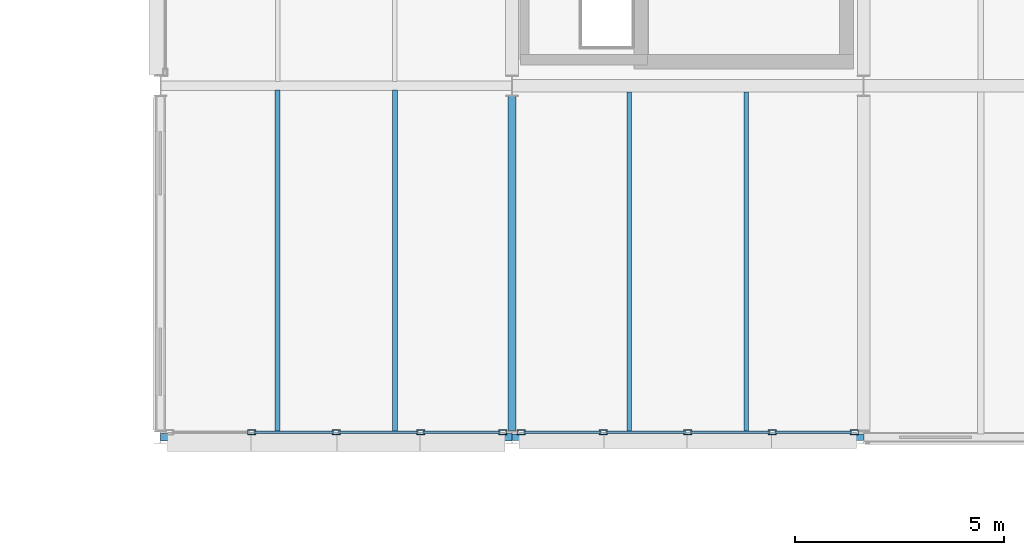
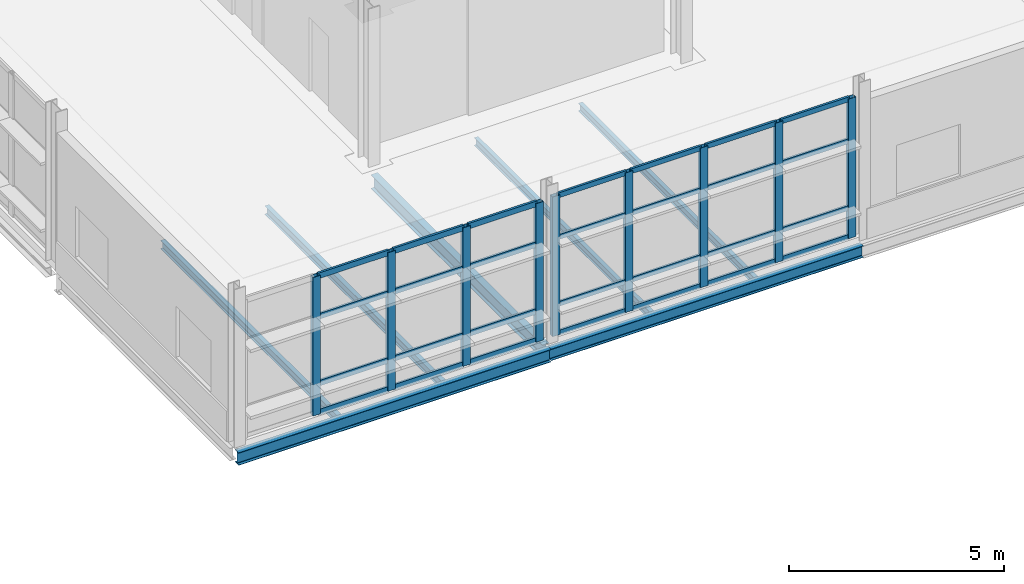
# One storey, part 66 of 129: 37 members, 7 beams, 2 elements without a shape of their own.
"""IFC4 building model written with IfcOpenShell, lengths in metres."""

from ifc_helpers import new_model, si_unit, direction, frame, origin, origin_2d, place, context, subcontext, project, spatial, hollow_rectangle, i_section, extrude, material, material_profile, profile_set, type_object, element, aggregate, save


model = new_model("IFC4")

# Units and contexts
model_context = context("Model", 3, precision=1e-05, world=origin(), true_north=direction((0.0, 1.0)))
body_context = subcontext(model_context, "Body", "Model", "MODEL_VIEW")
ifc_project = project(units=[si_unit("LENGTHUNIT", "METRE"), si_unit("AREAUNIT", "SQUARE_METRE"), si_unit("VOLUMEUNIT", "CUBIC_METRE"), si_unit("PLANEANGLEUNIT", "RADIAN"), si_unit("MASSUNIT", "GRAM", prefix="KILO")], contexts=[model_context])

# Site, building, storey
site_placement = place(None, origin())
site = spatial("IfcSite", under=ifc_project, at=site_placement, CompositionType="ELEMENT")
building_placement = place(site_placement, origin())
building = spatial("IfcBuilding", under=site, at=building_placement, Name="Mersafa Astral City Hall", CompositionType="ELEMENT")
storey_placement = place(building_placement, frame((0.0, 0.0, 5.39990234375)))
storey = spatial("IfcBuildingStorey", under=building, at=storey_placement, Name="L01", CompositionType="ELEMENT", Elevation=5.39990234375)

# Curtain wall, members
ifc_material_1 = material(Name="Anodised bronze aluminium framing", Category="aluminium")
curtain_wall_type_1 = type_object("IfcCurtainWallType", Name="ENV-CW-3", PredefinedType="USERDEFINED", material=ifc_material_1)
curtain_wall_1_placement = place(storey_placement, origin())
curtain_wall_1 = element("IfcCurtainWall", 1, at=curtain_wall_1_placement, inside=storey, type_object=curtain_wall_type_1, Name="L01 Unitised solar curtain wall 68", ObjectType="UNITISED CURTAIN WALL", PredefinedType="USERDEFINED")
ifc_material_profile_1 = material_profile(ifc_material_1, hollow_rectangle(XDim=0.1201171875, YDim=0.199951171875, WallThickness=0.008056640625, at=origin_2d()), Name="RHS 120x200x8")
ifc_profile_set_1 = profile_set([ifc_material_profile_1], Name="Anodised bronze aluminium framing")
member_type_1 = type_object("IfcMemberType", Name="ENV-CW-MUL-2", PredefinedType="MULLION", material=ifc_profile_set_1)
member_1_placement = place(storey_placement, frame((161.781005859375, 42.1201171875, -0.001953125), z_axis=(0.0, 0.0, 1.0), x_axis=(0.0, 1.0, 0.0)))
member_1 = element("IfcMember", 2, at=member_1_placement, type_object=member_type_1, Name="CW-3 mullion 2", PredefinedType="MULLION", context=body_context, shape_type="SweptSolid", body=[
    extrude(hollow_rectangle(XDim=0.1201171875, YDim=0.199951171875, WallThickness=0.008056640625, at=origin_2d()), origin(), (0.0, 0.0, 1.0), 3.93896484375),
])
member_2_placement = place(storey_placement, frame((163.800048828125, 42.1201171875, -0.001953125), z_axis=(0.0, 0.0, 1.0), x_axis=(0.0, 1.0, 0.0)))
member_2 = element("IfcMember", 3, at=member_2_placement, type_object=member_type_1, Name="CW-3 mullion 3", PredefinedType="MULLION", context=body_context, shape_type="SweptSolid", body=[
    extrude(hollow_rectangle(XDim=0.1201171875, YDim=0.199951171875, WallThickness=0.008056640625, at=origin_2d()), origin(), (0.0, 0.0, 1.0), 3.93896484375),
])
member_3_placement = place(storey_placement, frame((165.819091796875, 42.1201171875, -0.001953125), z_axis=(0.0, 0.0, 1.0), x_axis=(0.0, 1.0, 0.0)))
member_3 = element("IfcMember", 4, at=member_3_placement, type_object=member_type_1, Name="CW-3 mullion 4", PredefinedType="MULLION", context=body_context, shape_type="SweptSolid", body=[
    extrude(hollow_rectangle(XDim=0.1201171875, YDim=0.199951171875, WallThickness=0.008056640625, at=origin_2d()), origin(), (0.0, 0.0, 1.0), 3.93896484375),
])
member_4_placement = place(storey_placement, frame((167.778076171875, 42.1201171875, -0.001953125), z_axis=(0.0, 0.0, 1.0), x_axis=(0.0, 1.0, 0.0)))
member_4 = element("IfcMember", 5, at=member_4_placement, type_object=member_type_1, Name="CW-3 mullion 5", PredefinedType="MULLION", context=body_context, shape_type="SweptSolid", body=[
    extrude(hollow_rectangle(XDim=0.1201171875, YDim=0.199951171875, WallThickness=0.008056640625, at=origin_2d()), origin(), (0.0, 0.0, 1.0), 3.93896484375),
])

curtain_wall_type_2 = type_object("IfcCurtainWallType", Name="ENV-CW-4", PredefinedType="USERDEFINED", material=ifc_material_1)
curtain_wall_2_placement = place(storey_placement, origin())
curtain_wall_2 = element("IfcCurtainWall", 6, at=curtain_wall_2_placement, inside=storey, type_object=curtain_wall_type_2, Name="L01 Unitised solar curtain wall 69", ObjectType="UNITISED CURTAIN WALL", PredefinedType="USERDEFINED")
member_5_placement = place(storey_placement, frame((168.221923828125, 42.1201171875, -0.001953125), z_axis=(0.0, 0.0, 1.0), x_axis=(0.0, 1.0, 0.0)))
member_5 = element("IfcMember", 7, at=member_5_placement, type_object=member_type_1, Name="CW-4 mullion 1", PredefinedType="MULLION", context=body_context, shape_type="SweptSolid", body=[
    extrude(hollow_rectangle(XDim=0.1201171875, YDim=0.199951171875, WallThickness=0.008056640625, at=origin_2d()), origin(), (0.0, 0.0, 1.0), 3.968994140625),
])
member_6_placement = place(storey_placement, frame((170.180908203125, 42.1201171875, -0.001953125), z_axis=(0.0, 0.0, 1.0), x_axis=(0.0, 1.0, 0.0)))
member_6 = element("IfcMember", 8, at=member_6_placement, type_object=member_type_1, Name="CW-4 mullion 2", PredefinedType="MULLION", context=body_context, shape_type="SweptSolid", body=[
    extrude(hollow_rectangle(XDim=0.1201171875, YDim=0.199951171875, WallThickness=0.008056640625, at=origin_2d()), origin(), (0.0, 0.0, 1.0), 3.968994140625),
])
member_7_placement = place(storey_placement, frame((172.199951171875, 42.1201171875, -0.001953125), z_axis=(0.0, 0.0, 1.0), x_axis=(0.0, 1.0, 0.0)))
member_7 = element("IfcMember", 9, at=member_7_placement, type_object=member_type_1, Name="CW-4 mullion 3", PredefinedType="MULLION", context=body_context, shape_type="SweptSolid", body=[
    extrude(hollow_rectangle(XDim=0.1201171875, YDim=0.199951171875, WallThickness=0.008056640625, at=origin_2d()), origin(), (0.0, 0.0, 1.0), 3.968994140625),
])
member_8_placement = place(storey_placement, frame((174.218994140625, 42.1201171875, -0.001953125), z_axis=(0.0, 0.0, 1.0), x_axis=(0.0, 1.0, 0.0)))
member_8 = element("IfcMember", 10, at=member_8_placement, type_object=member_type_1, Name="CW-4 mullion 4", PredefinedType="MULLION", context=body_context, shape_type="SweptSolid", body=[
    extrude(hollow_rectangle(XDim=0.1201171875, YDim=0.199951171875, WallThickness=0.008056640625, at=origin_2d()), origin(), (0.0, 0.0, 1.0), 3.968994140625),
])
member_9_placement = place(storey_placement, frame((176.177978515625, 42.1201171875, -0.001953125), z_axis=(0.0, 0.0, 1.0), x_axis=(0.0, 1.0, 0.0)))
member_9 = element("IfcMember", 11, at=member_9_placement, type_object=member_type_1, Name="CW-4 mullion 5", PredefinedType="MULLION", context=body_context, shape_type="SweptSolid", body=[
    extrude(hollow_rectangle(XDim=0.1201171875, YDim=0.199951171875, WallThickness=0.008056640625, at=origin_2d()), origin(), (0.0, 0.0, 1.0), 3.968994140625),
])
ifc_material_profile_2 = material_profile(ifc_material_1, hollow_rectangle(XDim=0.06005859375, YDim=0.139892578125, WallThickness=0.00390625, at=origin_2d()), Name="RHS 60x140x4")
ifc_profile_set_2 = profile_set([ifc_material_profile_2], Name="Anodised bronze aluminium framing")
member_type_2 = type_object("IfcMemberType", Name="ENV-CW-TRN-1", PredefinedType="USERDEFINED", material=ifc_profile_set_2)
member_10_placement = place(storey_placement, frame((168.281982421875, 42.1201171875, 0.028076171875), z_axis=(1.0, 0.0, 0.0), x_axis=(0.0, 1.0, 0.0)))
member_10 = element("IfcMember", 12, at=member_10_placement, type_object=member_type_2, Name="CW-4 transom 1.1", ObjectType="TRANSOM", PredefinedType="USERDEFINED", context=body_context, shape_type="SweptSolid", body=[
    extrude(hollow_rectangle(XDim=0.06005859375, YDim=0.139892578125, WallThickness=0.00390625, at=origin_2d()), origin(), (0.0, 0.0, 1.0), 1.839111328125),
])
member_11_placement = place(storey_placement, frame((168.281982421875, 42.1201171875, 0.85009765625), z_axis=(1.0, 0.0, 0.0), x_axis=(0.0, 1.0, 0.0)))
member_11 = element("IfcMember", 13, at=member_11_placement, type_object=member_type_2, Name="CW-4 transom 1.2", ObjectType="TRANSOM", PredefinedType="USERDEFINED", context=body_context, shape_type="SweptSolid", body=[
    extrude(hollow_rectangle(XDim=0.06005859375, YDim=0.139892578125, WallThickness=0.00390625, at=origin_2d()), origin(), (0.0, 0.0, 1.0), 1.839111328125),
])
member_12_placement = place(storey_placement, frame((168.281982421875, 42.1201171875, 2.75), z_axis=(1.0, 0.0, 0.0), x_axis=(0.0, 1.0, 0.0)))
member_12 = element("IfcMember", 14, at=member_12_placement, type_object=member_type_2, Name="CW-4 transom 1.3", ObjectType="TRANSOM", PredefinedType="USERDEFINED", context=body_context, shape_type="SweptSolid", body=[
    extrude(hollow_rectangle(XDim=0.06005859375, YDim=0.139892578125, WallThickness=0.00390625, at=origin_2d()), origin(), (0.0, 0.0, 1.0), 1.839111328125),
])
member_13_placement = place(storey_placement, frame((168.281982421875, 42.1201171875, 3.93701171875), z_axis=(1.0, 0.0, 0.0), x_axis=(0.0, 1.0, 0.0)))
member_13 = element("IfcMember", 15, at=member_13_placement, type_object=member_type_2, Name="CW-4 transom 1.4", ObjectType="TRANSOM", PredefinedType="USERDEFINED", context=body_context, shape_type="SweptSolid", body=[
    extrude(hollow_rectangle(XDim=0.06005859375, YDim=0.139892578125, WallThickness=0.00390625, at=origin_2d()), origin(), (0.0, 0.0, 1.0), 1.839111328125),
])
member_14_placement = place(storey_placement, frame((170.240966796875, 42.1201171875, 0.028076171875), z_axis=(1.0, 0.0, 0.0), x_axis=(0.0, 1.0, 0.0)))
member_14 = element("IfcMember", 16, at=member_14_placement, type_object=member_type_2, Name="CW-4 transom 2.1", ObjectType="TRANSOM", PredefinedType="USERDEFINED", context=body_context, shape_type="SweptSolid", body=[
    extrude(hollow_rectangle(XDim=0.06005859375, YDim=0.139892578125, WallThickness=0.00390625, at=origin_2d()), origin(), (0.0, 0.0, 1.0), 1.89892578125),
])
member_15_placement = place(storey_placement, frame((170.240966796875, 42.1201171875, 0.85009765625), z_axis=(1.0, 0.0, 0.0), x_axis=(0.0, 1.0, 0.0)))
member_15 = element("IfcMember", 17, at=member_15_placement, type_object=member_type_2, Name="CW-4 transom 2.2", ObjectType="TRANSOM", PredefinedType="USERDEFINED", context=body_context, shape_type="SweptSolid", body=[
    extrude(hollow_rectangle(XDim=0.06005859375, YDim=0.139892578125, WallThickness=0.00390625, at=origin_2d()), origin(), (0.0, 0.0, 1.0), 1.89892578125),
])
member_16_placement = place(storey_placement, frame((170.240966796875, 42.1201171875, 2.75), z_axis=(1.0, 0.0, 0.0), x_axis=(0.0, 1.0, 0.0)))
member_16 = element("IfcMember", 18, at=member_16_placement, type_object=member_type_2, Name="CW-4 transom 2.3", ObjectType="TRANSOM", PredefinedType="USERDEFINED", context=body_context, shape_type="SweptSolid", body=[
    extrude(hollow_rectangle(XDim=0.06005859375, YDim=0.139892578125, WallThickness=0.00390625, at=origin_2d()), origin(), (0.0, 0.0, 1.0), 1.89892578125),
])
member_17_placement = place(storey_placement, frame((170.240966796875, 42.1201171875, 3.93701171875), z_axis=(1.0, 0.0, 0.0), x_axis=(0.0, 1.0, 0.0)))
member_17 = element("IfcMember", 19, at=member_17_placement, type_object=member_type_2, Name="CW-4 transom 2.4", ObjectType="TRANSOM", PredefinedType="USERDEFINED", context=body_context, shape_type="SweptSolid", body=[
    extrude(hollow_rectangle(XDim=0.06005859375, YDim=0.139892578125, WallThickness=0.00390625, at=origin_2d()), origin(), (0.0, 0.0, 1.0), 1.89892578125),
])
member_18_placement = place(storey_placement, frame((172.260009765625, 42.1201171875, 0.028076171875), z_axis=(1.0, 0.0, 0.0), x_axis=(0.0, 1.0, 0.0)))
member_18 = element("IfcMember", 20, at=member_18_placement, type_object=member_type_2, Name="CW-4 transom 3.1", ObjectType="TRANSOM", PredefinedType="USERDEFINED", context=body_context, shape_type="SweptSolid", body=[
    extrude(hollow_rectangle(XDim=0.06005859375, YDim=0.139892578125, WallThickness=0.00390625, at=origin_2d()), origin(), (0.0, 0.0, 1.0), 1.89892578125),
])
member_19_placement = place(storey_placement, frame((172.260009765625, 42.1201171875, 0.85009765625), z_axis=(1.0, 0.0, 0.0), x_axis=(0.0, 1.0, 0.0)))
member_19 = element("IfcMember", 21, at=member_19_placement, type_object=member_type_2, Name="CW-4 transom 3.2", ObjectType="TRANSOM", PredefinedType="USERDEFINED", context=body_context, shape_type="SweptSolid", body=[
    extrude(hollow_rectangle(XDim=0.06005859375, YDim=0.139892578125, WallThickness=0.00390625, at=origin_2d()), origin(), (0.0, 0.0, 1.0), 1.89892578125),
])
member_20_placement = place(storey_placement, frame((172.260009765625, 42.1201171875, 2.75), z_axis=(1.0, 0.0, 0.0), x_axis=(0.0, 1.0, 0.0)))
member_20 = element("IfcMember", 22, at=member_20_placement, type_object=member_type_2, Name="CW-4 transom 3.3", ObjectType="TRANSOM", PredefinedType="USERDEFINED", context=body_context, shape_type="SweptSolid", body=[
    extrude(hollow_rectangle(XDim=0.06005859375, YDim=0.139892578125, WallThickness=0.00390625, at=origin_2d()), origin(), (0.0, 0.0, 1.0), 1.89892578125),
])
member_21_placement = place(storey_placement, frame((172.260009765625, 42.1201171875, 3.93701171875), z_axis=(1.0, 0.0, 0.0), x_axis=(0.0, 1.0, 0.0)))
member_21 = element("IfcMember", 23, at=member_21_placement, type_object=member_type_2, Name="CW-4 transom 3.4", ObjectType="TRANSOM", PredefinedType="USERDEFINED", context=body_context, shape_type="SweptSolid", body=[
    extrude(hollow_rectangle(XDim=0.06005859375, YDim=0.139892578125, WallThickness=0.00390625, at=origin_2d()), origin(), (0.0, 0.0, 1.0), 1.89892578125),
])
member_22_placement = place(storey_placement, frame((174.279052734375, 42.1201171875, 0.028076171875), z_axis=(1.0, 0.0, 0.0), x_axis=(0.0, 1.0, 0.0)))
member_22 = element("IfcMember", 24, at=member_22_placement, type_object=member_type_2, Name="CW-4 transom 4.1", ObjectType="TRANSOM", PredefinedType="USERDEFINED", context=body_context, shape_type="SweptSolid", body=[
    extrude(hollow_rectangle(XDim=0.06005859375, YDim=0.139892578125, WallThickness=0.00390625, at=origin_2d()), origin(), (0.0, 0.0, 1.0), 1.8388671875),
])
member_23_placement = place(storey_placement, frame((174.279052734375, 42.1201171875, 0.85009765625), z_axis=(1.0, 0.0, 0.0), x_axis=(0.0, 1.0, 0.0)))
member_23 = element("IfcMember", 25, at=member_23_placement, type_object=member_type_2, Name="CW-4 transom 4.2", ObjectType="TRANSOM", PredefinedType="USERDEFINED", context=body_context, shape_type="SweptSolid", body=[
    extrude(hollow_rectangle(XDim=0.06005859375, YDim=0.139892578125, WallThickness=0.00390625, at=origin_2d()), origin(), (0.0, 0.0, 1.0), 1.8388671875),
])
member_24_placement = place(storey_placement, frame((174.279052734375, 42.1201171875, 2.75), z_axis=(1.0, 0.0, 0.0), x_axis=(0.0, 1.0, 0.0)))
member_24 = element("IfcMember", 26, at=member_24_placement, type_object=member_type_2, Name="CW-4 transom 4.3", ObjectType="TRANSOM", PredefinedType="USERDEFINED", context=body_context, shape_type="SweptSolid", body=[
    extrude(hollow_rectangle(XDim=0.06005859375, YDim=0.139892578125, WallThickness=0.00390625, at=origin_2d()), origin(), (0.0, 0.0, 1.0), 1.8388671875),
])
member_25_placement = place(storey_placement, frame((174.279052734375, 42.1201171875, 3.93701171875), z_axis=(1.0, 0.0, 0.0), x_axis=(0.0, 1.0, 0.0)))
member_25 = element("IfcMember", 27, at=member_25_placement, type_object=member_type_2, Name="CW-4 transom 4.4", ObjectType="TRANSOM", PredefinedType="USERDEFINED", context=body_context, shape_type="SweptSolid", body=[
    extrude(hollow_rectangle(XDim=0.06005859375, YDim=0.139892578125, WallThickness=0.00390625, at=origin_2d()), origin(), (0.0, 0.0, 1.0), 1.8388671875),
])
aggregate(curtain_wall_2, [member_5, member_6, member_7, member_8, member_9, member_10, member_11, member_12, member_13, member_14, member_15, member_16, member_17, member_18, member_19, member_20, member_21, member_22, member_23, member_24, member_25])

# Member
ifc_material_profile_3 = material_profile(ifc_material_1, hollow_rectangle(XDim=0.06005859375, YDim=0.159912109375, WallThickness=0.00390625, at=origin_2d()), Name="RHS 60x160x4")
ifc_profile_set_3 = profile_set([ifc_material_profile_3], Name="Anodised bronze aluminium framing")
member_type_3 = type_object("IfcMemberType", Name="ENV-CW-TRN-2", PredefinedType="USERDEFINED", material=ifc_profile_set_3)
member_26_placement = place(storey_placement, frame((161.841064453125, 42.1201171875, 0.028076171875), z_axis=(1.0, 0.0, 0.0), x_axis=(0.0, 1.0, 0.0)))
member_26 = element("IfcMember", 28, at=member_26_placement, type_object=member_type_3, Name="CW-3 transom 2.1", ObjectType="TRANSOM", PredefinedType="USERDEFINED", context=body_context, shape_type="SweptSolid", body=[
    extrude(hollow_rectangle(XDim=0.06005859375, YDim=0.159912109375, WallThickness=0.00390625, at=origin_2d()), origin(), (0.0, 0.0, 1.0), 1.89892578125),
])

member_27_placement = place(storey_placement, frame((161.841064453125, 42.1201171875, 0.85009765625), z_axis=(1.0, 0.0, 0.0), x_axis=(0.0, 1.0, 0.0)))
member_27 = element("IfcMember", 29, at=member_27_placement, type_object=member_type_3, Name="CW-3 transom 2.2", ObjectType="TRANSOM", PredefinedType="USERDEFINED", context=body_context, shape_type="SweptSolid", body=[
    extrude(hollow_rectangle(XDim=0.06005859375, YDim=0.159912109375, WallThickness=0.00390625, at=origin_2d()), origin(), (0.0, 0.0, 1.0), 1.89892578125),
])

member_28_placement = place(storey_placement, frame((161.841064453125, 42.1201171875, 2.75), z_axis=(1.0, 0.0, 0.0), x_axis=(0.0, 1.0, 0.0)))
member_28 = element("IfcMember", 30, at=member_28_placement, type_object=member_type_3, Name="CW-3 transom 2.3", ObjectType="TRANSOM", PredefinedType="USERDEFINED", context=body_context, shape_type="SweptSolid", body=[
    extrude(hollow_rectangle(XDim=0.06005859375, YDim=0.159912109375, WallThickness=0.00390625, at=origin_2d()), origin(), (0.0, 0.0, 1.0), 1.89892578125),
])

member_29_placement = place(storey_placement, frame((161.841064453125, 42.1201171875, 3.906982421875), z_axis=(1.0, 0.0, 0.0), x_axis=(0.0, 1.0, 0.0)))
member_29 = element("IfcMember", 31, at=member_29_placement, type_object=member_type_3, Name="CW-3 transom 2.4", ObjectType="TRANSOM", PredefinedType="USERDEFINED", context=body_context, shape_type="SweptSolid", body=[
    extrude(hollow_rectangle(XDim=0.06005859375, YDim=0.159912109375, WallThickness=0.00390625, at=origin_2d()), origin(), (0.0, 0.0, 1.0), 1.89892578125),
])

member_30_placement = place(storey_placement, frame((163.860107421875, 42.1201171875, 0.028076171875), z_axis=(1.0, 0.0, 0.0), x_axis=(0.0, 1.0, 0.0)))
member_30 = element("IfcMember", 32, at=member_30_placement, type_object=member_type_3, Name="CW-3 transom 3.1", ObjectType="TRANSOM", PredefinedType="USERDEFINED", context=body_context, shape_type="SweptSolid", body=[
    extrude(hollow_rectangle(XDim=0.06005859375, YDim=0.159912109375, WallThickness=0.00390625, at=origin_2d()), origin(), (0.0, 0.0, 1.0), 1.89892578125),
])

member_31_placement = place(storey_placement, frame((163.860107421875, 42.1201171875, 0.85009765625), z_axis=(1.0, 0.0, 0.0), x_axis=(0.0, 1.0, 0.0)))
member_31 = element("IfcMember", 33, at=member_31_placement, type_object=member_type_3, Name="CW-3 transom 3.2", ObjectType="TRANSOM", PredefinedType="USERDEFINED", context=body_context, shape_type="SweptSolid", body=[
    extrude(hollow_rectangle(XDim=0.06005859375, YDim=0.159912109375, WallThickness=0.00390625, at=origin_2d()), origin(), (0.0, 0.0, 1.0), 1.89892578125),
])

member_32_placement = place(storey_placement, frame((163.860107421875, 42.1201171875, 2.75), z_axis=(1.0, 0.0, 0.0), x_axis=(0.0, 1.0, 0.0)))
member_32 = element("IfcMember", 34, at=member_32_placement, type_object=member_type_3, Name="CW-3 transom 3.3", ObjectType="TRANSOM", PredefinedType="USERDEFINED", context=body_context, shape_type="SweptSolid", body=[
    extrude(hollow_rectangle(XDim=0.06005859375, YDim=0.159912109375, WallThickness=0.00390625, at=origin_2d()), origin(), (0.0, 0.0, 1.0), 1.89892578125),
])

member_33_placement = place(storey_placement, frame((163.860107421875, 42.1201171875, 3.906982421875), z_axis=(1.0, 0.0, 0.0), x_axis=(0.0, 1.0, 0.0)))
member_33 = element("IfcMember", 35, at=member_33_placement, type_object=member_type_3, Name="CW-3 transom 3.4", ObjectType="TRANSOM", PredefinedType="USERDEFINED", context=body_context, shape_type="SweptSolid", body=[
    extrude(hollow_rectangle(XDim=0.06005859375, YDim=0.159912109375, WallThickness=0.00390625, at=origin_2d()), origin(), (0.0, 0.0, 1.0), 1.89892578125),
])

member_34_placement = place(storey_placement, frame((165.87890625, 42.1201171875, 0.028076171875), z_axis=(1.0, 0.0, 0.0), x_axis=(0.0, 1.0, 0.0)))
member_34 = element("IfcMember", 36, at=member_34_placement, type_object=member_type_3, Name="CW-3 transom 4.1", ObjectType="TRANSOM", PredefinedType="USERDEFINED", context=body_context, shape_type="SweptSolid", body=[
    extrude(hollow_rectangle(XDim=0.06005859375, YDim=0.159912109375, WallThickness=0.00390625, at=origin_2d()), origin(), (0.0, 0.0, 1.0), 1.839111328125),
])

member_35_placement = place(storey_placement, frame((165.87890625, 42.1201171875, 0.85009765625), z_axis=(1.0, 0.0, 0.0), x_axis=(0.0, 1.0, 0.0)))
member_35 = element("IfcMember", 37, at=member_35_placement, type_object=member_type_3, Name="CW-3 transom 4.2", ObjectType="TRANSOM", PredefinedType="USERDEFINED", context=body_context, shape_type="SweptSolid", body=[
    extrude(hollow_rectangle(XDim=0.06005859375, YDim=0.159912109375, WallThickness=0.00390625, at=origin_2d()), origin(), (0.0, 0.0, 1.0), 1.839111328125),
])

member_36_placement = place(storey_placement, frame((165.87890625, 42.1201171875, 2.75), z_axis=(1.0, 0.0, 0.0), x_axis=(0.0, 1.0, 0.0)))
member_36 = element("IfcMember", 38, at=member_36_placement, type_object=member_type_3, Name="CW-3 transom 4.3", ObjectType="TRANSOM", PredefinedType="USERDEFINED", context=body_context, shape_type="SweptSolid", body=[
    extrude(hollow_rectangle(XDim=0.06005859375, YDim=0.159912109375, WallThickness=0.00390625, at=origin_2d()), origin(), (0.0, 0.0, 1.0), 1.839111328125),
])

member_37_placement = place(storey_placement, frame((165.87890625, 42.1201171875, 3.906982421875), z_axis=(1.0, 0.0, 0.0), x_axis=(0.0, 1.0, 0.0)))
member_37 = element("IfcMember", 39, at=member_37_placement, type_object=member_type_3, Name="CW-3 transom 4.4", ObjectType="TRANSOM", PredefinedType="USERDEFINED", context=body_context, shape_type="SweptSolid", body=[
    extrude(hollow_rectangle(XDim=0.06005859375, YDim=0.159912109375, WallThickness=0.00390625, at=origin_2d()), origin(), (0.0, 0.0, 1.0), 1.839111328125),
])

aggregate(curtain_wall_1, [member_1, member_2, member_3, member_4, member_26, member_27, member_28, member_29, member_30, member_31, member_32, member_33, member_34, member_35, member_36, member_37])

# Beams
ifc_material_2 = material(Name="Steel S355", Category="steel")
ifc_material_profile_4 = material_profile(ifc_material_2, i_section(OverallWidth=0.179931640625, OverallDepth=0.39990234375, WebThickness=0.008544921875, FlangeThickness=0.013427734375, FilletRadius=0.02099609375, at=origin_2d()), Name="IPE 400")
ifc_profile_set_4 = profile_set([ifc_material_profile_4], Name="Steel S355")
beam_type_1 = type_object("IfcBeamType", Name="STR-BM-IPE400", PredefinedType="BEAM", material=ifc_profile_set_4)
beam_1_placement = place(storey_placement, frame((168.0, 42.1650390625, -0.4248046875), z_axis=(0.0, 1.0, 0.0), x_axis=(-1.0, 0.0, 0.0)))
element("IfcBeam", 40, at=beam_1_placement, inside=storey, type_object=beam_type_1, Name="L01 Primary girder Y 20-5", PredefinedType="BEAM", context=body_context, shape_type="SweptSolid", body=[
    extrude(i_section(OverallWidth=0.179931640625, OverallDepth=0.39990234375, WebThickness=0.008544921875, FlangeThickness=0.013427734375, FilletRadius=0.02099609375, at=origin_2d()), origin(), (0.0, 0.0, 1.0), 7.989990234375),
])
ifc_material_profile_5 = material_profile(ifc_material_2, i_section(OverallWidth=0.110107421875, OverallDepth=0.219970703125, WebThickness=0.005859375, FlangeThickness=0.00927734375, FilletRadius=0.011962890625, at=origin_2d()), Name="IPE 220")
ifc_profile_set_5 = profile_set([ifc_material_profile_5], Name="Steel S355")
beam_type_2 = type_object("IfcBeamType", Name="STR-BM-JOIST-IPE220", PredefinedType="JOIST", material=ifc_profile_set_5)
for number, where, z_axis, x_axis, name in (
    (41, (170.800048828125, 42.074951171875, -0.3349609375), (0.0, 1.0, 0.0), (-1.0, 0.0, 0.0), "L01 Composite secondary floor joist 376"),
    (42, (173.60009765625, 42.074951171875, -0.3349609375), (0.0, 1.0, 0.0), (-1.0, 0.0, 0.0), "L01 Composite secondary floor joist 377"),
):
    element("IfcBeam", number, at=place(storey_placement, frame(where, z_axis=z_axis, x_axis=x_axis)), inside=storey, type_object=beam_type_2, Name=name, PredefinedType="JOIST", context=body_context, shape_type="SweptSolid", body=[
        extrude(i_section(OverallWidth=0.110107421875, OverallDepth=0.219970703125, WebThickness=0.005859375, FlangeThickness=0.00927734375, FilletRadius=0.011962890625, at=origin_2d()), origin(), (0.0, 0.0, 1.0), 8.179931640625),
    ])
ifc_material_profile_6 = material_profile(ifc_material_2, i_section(OverallWidth=0.1201171875, OverallDepth=0.239990234375, WebThickness=0.006103515625, FlangeThickness=0.009765625, FilletRadius=0.014892578125, at=origin_2d()), Name="IPE 240")
ifc_profile_set_6 = profile_set([ifc_material_profile_6], Name="Steel S355")
beam_type_3 = type_object("IfcBeamType", Name="STR-BM-JOIST-IPE240", PredefinedType="JOIST", material=ifc_profile_set_6)
for number, where, z_axis, x_axis, name in (
    (43, (162.39990234375, 42.080078125, -0.344970703125), (0.0, 1.0, 0.0), (-1.0, 0.0, 0.0), "L01 Composite secondary floor joist 358"),
    (44, (165.199951171875, 42.080078125, -0.344970703125), (0.0, 1.0, 0.0), (-1.0, 0.0, 0.0), "L01 Composite secondary floor joist 359"),
):
    element("IfcBeam", number, at=place(storey_placement, frame(where, z_axis=z_axis, x_axis=x_axis)), inside=storey, type_object=beam_type_3, Name=name, PredefinedType="JOIST", context=body_context, shape_type="SweptSolid", body=[
        extrude(i_section(OverallWidth=0.1201171875, OverallDepth=0.239990234375, WebThickness=0.006103515625, FlangeThickness=0.009765625, FilletRadius=0.014892578125, at=origin_2d()), origin(), (0.0, 0.0, 1.0), 8.21484375),
    ])
ifc_material_profile_7 = material_profile(ifc_material_2, i_section(OverallWidth=0.159912109375, OverallDepth=0.330078125, WebThickness=0.007568359375, FlangeThickness=0.011474609375, FilletRadius=0.01806640625, at=origin_2d()), Name="IPE 330")
ifc_profile_set_7 = profile_set([ifc_material_profile_7], Name="Steel S355")
beam_type_4 = type_object("IfcBeamType", Name="STR-BM-SPANDREL-IPE330", PredefinedType="SPANDREL", material=ifc_profile_set_7)
beam_2_placement = place(storey_placement, frame((168.0029296875, 42.0, -0.389892578125), z_axis=(1.0, 0.0, 0.0), x_axis=(0.0, 1.0, 0.0)))
element("IfcBeam", 45, at=beam_2_placement, inside=storey, type_object=beam_type_4, Name="L01 Primary girder X 20-5", PredefinedType="SPANDREL", context=body_context, shape_type="SweptSolid", body=[
    extrude(i_section(OverallWidth=0.159912109375, OverallDepth=0.330078125, WebThickness=0.007568359375, FlangeThickness=0.011474609375, FilletRadius=0.01806640625, at=origin_2d()), origin(), (0.0, 0.0, 1.0), 8.39404296875),
])
ifc_material_profile_8 = material_profile(ifc_material_2, i_section(OverallWidth=0.169921875, OverallDepth=0.360107421875, WebThickness=0.008056640625, FlangeThickness=0.0126953125, FilletRadius=0.01806640625, at=origin_2d()), Name="IPE 360")
ifc_profile_set_8 = profile_set([ifc_material_profile_8], Name="Steel S355")
beam_type_5 = type_object("IfcBeamType", Name="STR-BM-SPANDREL-IPE360", PredefinedType="SPANDREL", material=ifc_profile_set_8)
beam_3_placement = place(storey_placement, frame((159.60302734375, 42.0, -0.40478515625), z_axis=(1.0, 0.0, 0.0), x_axis=(0.0, 1.0, 0.0)))
element("IfcBeam", 46, at=beam_3_placement, inside=storey, type_object=beam_type_5, Name="L01 Primary girder X 19-5", PredefinedType="SPANDREL", context=body_context, shape_type="SweptSolid", body=[
    extrude(i_section(OverallWidth=0.169921875, OverallDepth=0.360107421875, WebThickness=0.008056640625, FlangeThickness=0.0126953125, FilletRadius=0.01806640625, at=origin_2d()), origin(), (0.0, 0.0, 1.0), 8.39404296875),
])

save(model, "model.ifc")
